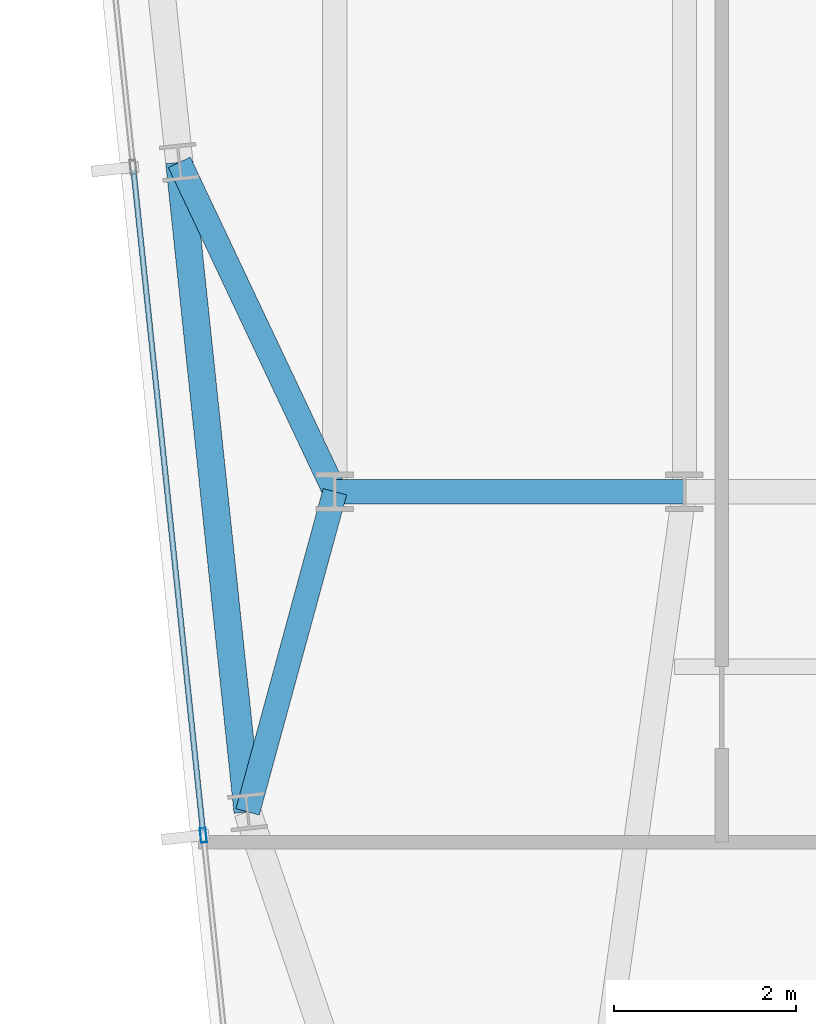
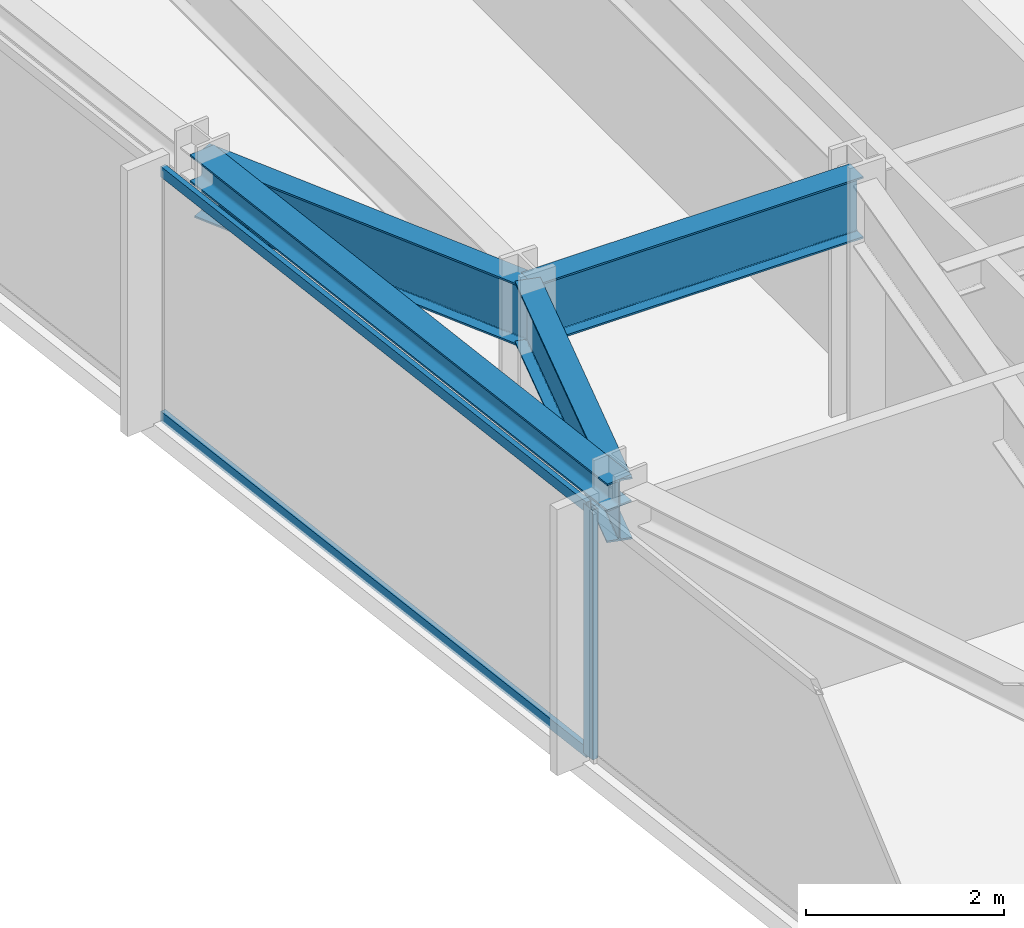
# One storey, part 5 of 33: 4 beams, 3 members, 1 element without a shape of its own.
"""IFC4 building model written with IfcOpenShell, lengths in metres."""

import ifcopenshell
import ifcopenshell.guid

model = None  # the IFC model being written
_history = None  # IfcOwnerHistory: only IFC2X3 demands one
_inside = {}  # id of a spatial element -> (the spatial element, [elements in it])
_under = {}  # id of a project, library or spatial element -> (it, [spatial elements below it])
_declared = {}  # id of a project -> (the project, [libraries it declares])
_typed = {}  # id of a type object -> (the type object, [elements of that type])
_made_of = {}  # id of a material, layer set ... -> (it, [elements and type objects made of it])


def new_model(schema):
    """Start an empty IFC model of exactly this schema.

    Asked for "IFC4X3", IfcOpenShell would pick the latest addendum, in which some entities
    have other attributes; the version numbers below select the first issue.
    IFC2X3 requires an IfcOwnerHistory on every rooted entity: one is made here for all.
    """
    global model, _history
    if schema == "IFC4X3":
        model = ifcopenshell.file(schema_version=(4, 3, 0, 0))
    else:
        model = ifcopenshell.file(schema=schema)
    _inside.clear()
    _under.clear()
    _declared.clear()
    _typed.clear()
    _made_of.clear()
    _history = None
    if model.schema == "IFC2X3":
        org = make("IfcOrganization", Name="unknown")
        user = make(
            "IfcPersonAndOrganization",
            ThePerson=make("IfcPerson", FamilyName="unknown"),
            TheOrganization=org,
        )
        app = make(
            "IfcApplication",
            ApplicationDeveloper=org,
            Version="unknown",
            ApplicationFullName="unknown",
            ApplicationIdentifier="unknown",
        )
        _history = make(
            "IfcOwnerHistory",
            OwningUser=user,
            OwningApplication=app,
            ChangeAction="ADDED",
            CreationDate=0,
        )
    return model


def make(cls, **values):
    """One entity of the class cls with the attributes given. An attribute that is None is left unset."""
    return model.create_entity(
        cls, **{name: value for name, value in values.items() if value is not None}
    )


def rooted(cls, **values):
    """An entity with a GlobalId (a new one), such as an element, a storey or a relation."""
    return make(cls, GlobalId=ifcopenshell.guid.new(), OwnerHistory=_history, **values)


def si_unit(unit_type, name, prefix=None):
    """IfcSIUnit, for example si_unit("LENGTHUNIT", "METRE", prefix="MILLI")."""
    return make("IfcSIUnit", UnitType=unit_type, Prefix=prefix, Name=name)


def assignment(units):
    """IfcUnitAssignment: the units of a project."""
    return None if units is None else make("IfcUnitAssignment", Units=units)


def point(xyz):
    """IfcCartesianPoint."""
    return None if xyz is None else make("IfcCartesianPoint", Coordinates=xyz)


def direction(xyz):
    """IfcDirection."""
    return None if xyz is None else make("IfcDirection", DirectionRatios=xyz)


def frame(location, z_axis=None, x_axis=None):
    """IfcAxis2Placement3D, a coordinate frame: its origin and axes. An axis left out is left unset."""
    return make(
        "IfcAxis2Placement3D",
        Location=point(location),
        Axis=direction(z_axis),
        RefDirection=direction(x_axis),
    )


def frame_2d(location, x_axis=None):
    """IfcAxis2Placement2D, a coordinate frame in the plane: its origin and x axis."""
    return make(
        "IfcAxis2Placement2D", Location=point(location), RefDirection=direction(x_axis)
    )


def origin():
    """The frame at (0, 0, 0) with its axes left unset."""
    return frame((0.0, 0.0, 0.0))


def origin_2d():
    """The frame at (0, 0) in the plane with its x axis left unset."""
    return frame_2d((0.0, 0.0))


def place(relative_to, where):
    """IfcLocalPlacement: puts the frame where relative to a parent placement (None: the world)."""
    return make(
        "IfcLocalPlacement", PlacementRelTo=relative_to, RelativePlacement=where
    )


def context(
    kind, dimensions, precision=None, world=None, true_north=None, identifier=None
):
    """IfcGeometricRepresentationContext, for example the 3D "Model" context."""
    return make(
        "IfcGeometricRepresentationContext",
        ContextIdentifier=identifier,
        ContextType=kind,
        CoordinateSpaceDimension=dimensions,
        Precision=precision,
        WorldCoordinateSystem=world,
        TrueNorth=true_north,
    )


def subcontext(parent, identifier, kind, view, scale=None):
    """IfcGeometricRepresentationSubContext, for example "Body" below "Model"."""
    return make(
        "IfcGeometricRepresentationSubContext",
        ContextIdentifier=identifier,
        ContextType=kind,
        ParentContext=parent,
        TargetScale=scale,
        TargetView=view,
    )


def project(units=None, contexts=None):
    """IfcProject with its units and contexts."""
    return rooted(
        "IfcProject",
        Name="project",
        RepresentationContexts=contexts,
        UnitsInContext=assignment(units),
    )


def spatial(cls, under=None, at=None, **own):
    """A site, building, storey or space (cls), placed at a placement, below another one or the project."""
    s = rooted(cls, ObjectPlacement=at, **own)
    if under is not None:
        _under.setdefault(under.id(), (under, []))[1].append(s)
    return s


def profile(cls, at=None, kind="AREA", **sizes):
    """A parametric profile (cls). Its sizes go by their IFC names, for example OverallWidth=200.0."""
    return make(cls, ProfileType=kind, Position=at, **sizes)


def hollow_rectangle(**sizes):
    """IfcRectangleHollowProfileDef."""
    return profile("IfcRectangleHollowProfileDef", **sizes)


def i_section(**sizes):
    """IfcIShapeProfileDef."""
    return profile("IfcIShapeProfileDef", **sizes)


def extrude(swept, where, along, depth):
    """IfcExtrudedAreaSolid: the profile swept, set in the frame where, extruded along a direction by depth."""
    return make(
        "IfcExtrudedAreaSolid",
        SweptArea=swept,
        Position=where,
        ExtrudedDirection=direction(along),
        Depth=depth,
    )


def shape(context_of_items, identifier, shape_type, items):
    """IfcShapeRepresentation: the items that make up one representation, for example the "Body"."""
    return make(
        "IfcShapeRepresentation",
        ContextOfItems=context_of_items,
        RepresentationIdentifier=identifier,
        RepresentationType=shape_type,
        Items=items,
    )


def material(Name=None, Category=None):
    """IfcMaterial."""
    return make("IfcMaterial", Name=Name, Category=Category)


def material_profile(
    of_material, cross_section, Name=None, Category=None, Priority=None
):
    """IfcMaterialProfile: a cross section and its material."""
    return make(
        "IfcMaterialProfile",
        Name=Name,
        Material=of_material,
        Profile=cross_section,
        Priority=Priority,
        Category=Category,
    )


def profile_set(profiles, Name=None, composite=None):
    """IfcMaterialProfileSet."""
    return make(
        "IfcMaterialProfileSet",
        Name=Name,
        MaterialProfiles=profiles,
        CompositeProfile=composite,
    )


def made_of(thing, what):
    """Note that an element or type object is made of a material, layer set ...; save() writes the relation."""
    if what is not None:
        _made_of.setdefault(what.id(), (what, []))[1].append(thing)
    return thing


def type_object(cls, material=None, **own):
    """A type object (cls), such as IfcWallType, which elements share."""
    return made_of(rooted(cls, **own), material)


def element(
    cls,
    number,
    at=None,
    inside=None,
    cuts=None,
    type_object=None,
    material=None,
    context=None,
    identifier="Body",
    shape_type=None,
    held_by="IfcProductDefinitionShape",
    body=None,
    shapes=None,
    **own,
):
    """One element of the class cls, such as IfcWall. Its Tag is "e" and its number.

    at: its placement. inside: the storey or other place that contains it. cuts: it is an
    opening in that element (IfcRelVoidsElement). A single representation is given by context,
    identifier, shape_type and body (its items); several are given by shapes. held_by: the class
    of the entity that holds the representations. save() writes the other relations.
    """
    e = rooted(cls, Tag="e%d" % number, ObjectPlacement=at, **own)
    if body is not None:
        shapes = [shape(context, identifier, shape_type, body)]
    if shapes is not None:
        e.Representation = make(held_by, Representations=shapes)
    if inside is not None:
        _inside.setdefault(inside.id(), (inside, []))[1].append(e)
    if cuts is not None:
        rooted(
            "IfcRelVoidsElement", RelatingBuildingElement=cuts, RelatedOpeningElement=e
        )
    if type_object is not None:
        _typed.setdefault(type_object.id(), (type_object, []))[1].append(e)
    return made_of(e, material)


def aggregate(whole, parts):
    """IfcRelAggregates: a whole, such as a stair, and the parts it consists of."""
    return rooted("IfcRelAggregates", RelatingObject=whole, RelatedObjects=parts)


def save(model, path):
    """Write the relations noted so far, then the file.

    IfcRelAggregates (storeys below a building ...), IfcRelContainedInSpatialStructure (elements
    in a storey), IfcRelDefinesByType, IfcRelAssociatesMaterial and IfcRelDeclares: one each for
    every whole, place, type object, material and project.
    """
    for whole, parts in _under.values():
        aggregate(whole, parts)
    for where, things in _inside.values():
        rooted(
            "IfcRelContainedInSpatialStructure",
            RelatedElements=things,
            RelatingStructure=where,
        )
    for kind, things in _typed.values():
        rooted("IfcRelDefinesByType", RelatedObjects=things, RelatingType=kind)
    for what, things in _made_of.values():
        rooted("IfcRelAssociatesMaterial", RelatedObjects=things, RelatingMaterial=what)
    for by, libraries in _declared.values():
        rooted("IfcRelDeclares", RelatingContext=by, RelatedDefinitions=libraries)
    model.write(path)


model = new_model("IFC4")

# Units and contexts
model_context = context("Model", 3, precision=1e-05, world=origin(), true_north=direction((0.0, 1.0)))
body_context = subcontext(model_context, "Body", "Model", "MODEL_VIEW")
ifc_project = project(units=[si_unit("LENGTHUNIT", "METRE"), si_unit("AREAUNIT", "SQUARE_METRE"), si_unit("VOLUMEUNIT", "CUBIC_METRE"), si_unit("PLANEANGLEUNIT", "RADIAN"), si_unit("MASSUNIT", "GRAM", prefix="KILO")], contexts=[model_context])

# Site, building, storey
site_placement = place(None, origin())
site = spatial("IfcSite", under=ifc_project, at=site_placement, CompositionType="ELEMENT")
building_placement = place(site_placement, origin())
building = spatial("IfcBuilding", under=site, at=building_placement, Name="Yelkora Congress Tower", CompositionType="ELEMENT")
storey_placement = place(building_placement, frame((0.0, 0.0, 234.199951171875)))
storey = spatial("IfcBuildingStorey", under=building, at=storey_placement, Name="L65", CompositionType="ELEMENT", Elevation=234.199951171875)

# Beams
ifc_material_1 = material(Name="Steel S355J2", Category="steel")
ifc_material_profile_1 = material_profile(ifc_material_1, i_section(OverallWidth=0.26708984375, OverallDepth=0.761962890625, WebThickness=0.014404296875, FlangeThickness=0.021484375, FilletRadius=0.01708984375, at=origin_2d()), Name="IPE 750x173")
ifc_profile_set_1 = profile_set([ifc_material_profile_1], Name="Steel S355J2")
beam_type_1 = type_object("IfcBeamType", Name="BM-GIRD-IPE750", PredefinedType="BEAM", material=ifc_profile_set_1)
beam_1_placement = place(storey_placement, frame((19.199951171875, 25.199951171875, 2.698974609375), z_axis=(1.0, 0.0, 0.0), x_axis=(0.0, 1.0, 0.0)))
element("IfcBeam", 1, at=beam_1_placement, inside=storey, type_object=beam_type_1, Name="L65 Spine Grid D Girder 1", PredefinedType="BEAM", context=body_context, shape_type="SweptSolid", body=[
    extrude(i_section(OverallWidth=0.26708984375, OverallDepth=0.761962890625, WebThickness=0.014404296875, FlangeThickness=0.021484375, FilletRadius=0.01708984375, at=origin_2d()), origin(), (0.0, 0.0, 1.0), 3.840087890625),
])
beam_2_placement = place(storey_placement, frame((18.2412109375, 21.68310546875, 2.698974609375), z_axis=(0.263015394472, 0.964791636713, 0.0), x_axis=(-0.964791636713, 0.263015394472, 0.0)))
element("IfcBeam", 2, at=beam_2_placement, inside=storey, type_object=beam_type_1, Name="L65 Primary Frame Girder W01", PredefinedType="BEAM", context=body_context, shape_type="SweptSolid", body=[
    extrude(i_section(OverallWidth=0.26708984375, OverallDepth=0.761962890625, WebThickness=0.014404296875, FlangeThickness=0.021484375, FilletRadius=0.01708984375, at=origin_2d()), origin(), (0.0, 0.0, 1.0), 3.645263671875),
])
beam_3_placement = place(storey_placement, frame((17.4912109375, 28.81884765625, 2.698974609375), z_axis=(0.426968894221, -0.904266312193, 0.0), x_axis=(0.904266312193, 0.426968894221, 0.0)))
element("IfcBeam", 3, at=beam_3_placement, inside=storey, type_object=beam_type_1, Name="L65 Primary Frame Girder W02", PredefinedType="BEAM", context=body_context, shape_type="SweptSolid", body=[
    extrude(i_section(OverallWidth=0.26708984375, OverallDepth=0.761962890625, WebThickness=0.014404296875, FlangeThickness=0.021484375, FilletRadius=0.01708984375, at=origin_2d()), origin(), (0.0, 0.0, 1.0), 4.001953125),
])
ifc_material_profile_2 = material_profile(ifc_material_1, i_section(OverallWidth=0.300048828125, OverallDepth=0.340087890625, WebThickness=0.011962890625, FlangeThickness=0.021484375, FilletRadius=0.027099609375, at=origin_2d()), Name="HEB 340")
ifc_profile_set_2 = profile_set([ifc_material_profile_2], Name="Steel S355J2")
beam_type_2 = type_object("IfcBeamType", Name="BM-SPAN-HEB340", PredefinedType="SPANDREL", material=ifc_profile_set_2)
beam_4_placement = place(storey_placement, frame((17.4912109375, 28.81884765625, 2.91015625), z_axis=(0.104528914631, -0.994521847928, 0.0), x_axis=(0.994521847928, 0.104528914631, 0.0)))
element("IfcBeam", 4, at=beam_4_placement, inside=storey, type_object=beam_type_2, Name="L65 Perimeter Beam 1", PredefinedType="SPANDREL", context=body_context, shape_type="SweptSolid", body=[
    extrude(i_section(OverallWidth=0.300048828125, OverallDepth=0.340087890625, WebThickness=0.011962890625, FlangeThickness=0.021484375, FilletRadius=0.027099609375, at=origin_2d()), origin(), (0.0, 0.0, 1.0), 7.175048828125),
])

# Curtain wall, members
ifc_material_2 = material(Name="Anodised aluminium and insulated glass", Category="aluminium")
curtain_wall_type = type_object("IfcCurtainWallType", Name="CW-SYS-B4", PredefinedType="NOTDEFINED", material=ifc_material_2)
curtain_wall_placement = place(storey_placement, origin())
curtain_wall = element("IfcCurtainWall", 5, at=curtain_wall_placement, inside=storey, type_object=curtain_wall_type, Name="L65 Unitised Curtain Wall 5", PredefinedType="NOTDEFINED")
ifc_material_3 = material(Name="Anodised aluminium 6063-T6", Category="aluminium")
ifc_material_profile_3 = material_profile(ifc_material_3, hollow_rectangle(XDim=0.06494140625, YDim=0.159912109375, WallThickness=0.00390625, at=origin_2d()), Name="ALU 65x160x4")
ifc_profile_set_3 = profile_set([ifc_material_profile_3], Name="Anodised aluminium 6063-T6")
member_type_1 = type_object("IfcMemberType", Name="MEM-ML-B4", PredefinedType="MULLION", material=ifc_profile_set_3)
member_1_placement = place(storey_placement, frame((17.75537109375, 21.426025390625, 0.0), z_axis=(0.0, 0.0, 1.0), x_axis=(-0.994522145958, -0.104526079034, 0.0)))
member_1 = element("IfcMember", 6, at=member_1_placement, type_object=member_type_1, Name="CW-B4 mullion 2", PredefinedType="MULLION", context=body_context, shape_type="SweptSolid", body=[
    extrude(hollow_rectangle(XDim=0.06494140625, YDim=0.159912109375, WallThickness=0.00390625, at=origin_2d()), origin(), (0.0, 0.0, 1.0), 3.080078125),
])
ifc_material_profile_4 = material_profile(ifc_material_3, hollow_rectangle(XDim=0.06005859375, YDim=0.1298828125, WallThickness=0.00390625, at=origin_2d()), Name="ALU 60x130x4")
ifc_profile_set_4 = profile_set([ifc_material_profile_4], Name="Anodised aluminium 6063-T6")
member_type_2 = type_object("IfcMemberType", Name="MEM-TR-B4", PredefinedType="USERDEFINED", material=ifc_profile_set_4)
member_2_placement = place(storey_placement, frame((17.751953125, 21.458251953125, 0.030029296875), z_axis=(-0.104528426736, 0.994521899208, 0.0), x_axis=(-0.994521899208, -0.104528426736, 0.0)))
member_2 = element("IfcMember", 7, at=member_2_placement, type_object=member_type_2, Name="CW-B4 transom 2.1", ObjectType="TRANSOM", PredefinedType="USERDEFINED", context=body_context, shape_type="SweptSolid", body=[
    extrude(hollow_rectangle(XDim=0.06005859375, YDim=0.1298828125, WallThickness=0.00390625, at=origin_2d()), origin(), (0.0, 0.0, 1.0), 7.315185546875),
])
member_3_placement = place(storey_placement, frame((17.751953125, 21.458251953125, 3.050048828125), z_axis=(-0.104528426736, 0.994521899208, 0.0), x_axis=(-0.994521899208, -0.104528426736, 0.0)))
member_3 = element("IfcMember", 8, at=member_3_placement, type_object=member_type_2, Name="CW-B4 transom 2.2", ObjectType="TRANSOM", PredefinedType="USERDEFINED", context=body_context, shape_type="SweptSolid", body=[
    extrude(hollow_rectangle(XDim=0.06005859375, YDim=0.1298828125, WallThickness=0.00390625, at=origin_2d()), origin(), (0.0, 0.0, 1.0), 7.315185546875),
])
aggregate(curtain_wall, [member_1, member_2, member_3])

save(model, "model.ifc")
